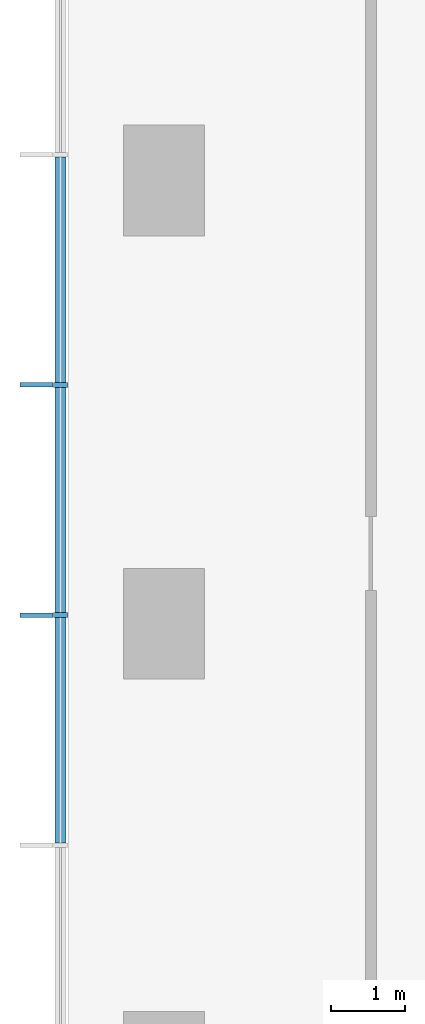
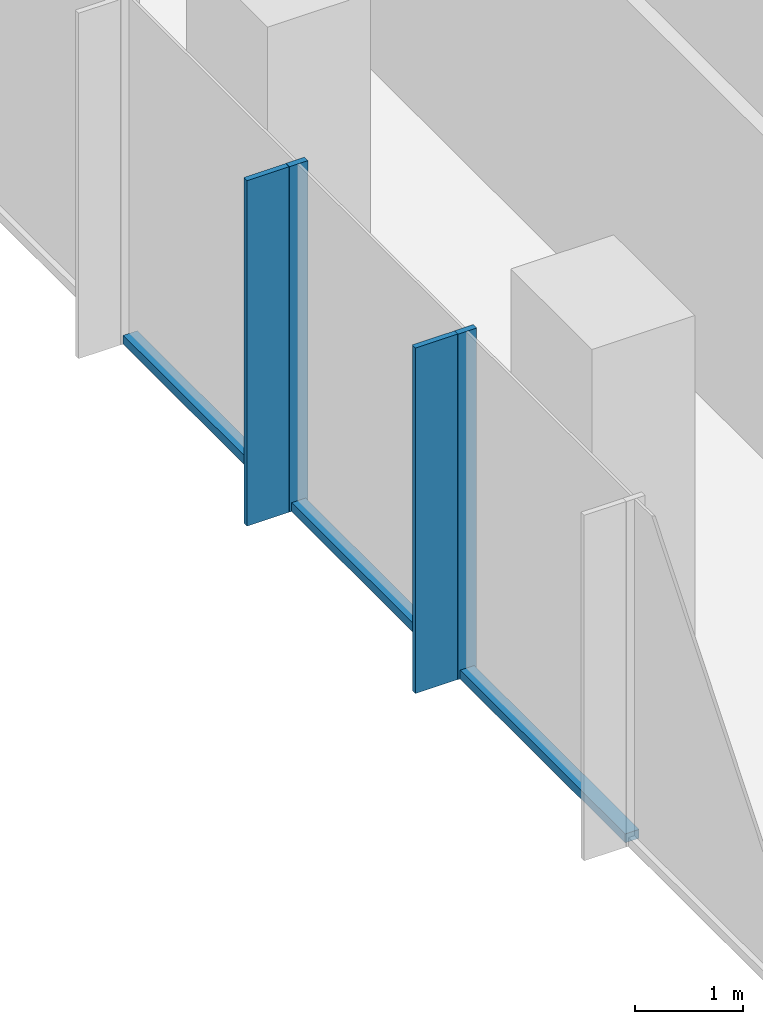
# One storey, part 3 of 11: 7 members, 1 element without a shape of its own.
"""IFC4 building model written with IfcOpenShell, lengths in metres."""

import ifcopenshell
import ifcopenshell.guid

model = None  # the IFC model being written
_history = None  # IfcOwnerHistory: only IFC2X3 demands one
_inside = {}  # id of a spatial element -> (the spatial element, [elements in it])
_under = {}  # id of a project, library or spatial element -> (it, [spatial elements below it])
_declared = {}  # id of a project -> (the project, [libraries it declares])
_typed = {}  # id of a type object -> (the type object, [elements of that type])
_made_of = {}  # id of a material, layer set ... -> (it, [elements and type objects made of it])


def new_model(schema):
    """Start an empty IFC model of exactly this schema.

    Asked for "IFC4X3", IfcOpenShell would pick the latest addendum, in which some entities
    have other attributes; the version numbers below select the first issue.
    IFC2X3 requires an IfcOwnerHistory on every rooted entity: one is made here for all.
    """
    global model, _history
    if schema == "IFC4X3":
        model = ifcopenshell.file(schema_version=(4, 3, 0, 0))
    else:
        model = ifcopenshell.file(schema=schema)
    _inside.clear()
    _under.clear()
    _declared.clear()
    _typed.clear()
    _made_of.clear()
    _history = None
    if model.schema == "IFC2X3":
        org = make("IfcOrganization", Name="unknown")
        user = make(
            "IfcPersonAndOrganization",
            ThePerson=make("IfcPerson", FamilyName="unknown"),
            TheOrganization=org,
        )
        app = make(
            "IfcApplication",
            ApplicationDeveloper=org,
            Version="unknown",
            ApplicationFullName="unknown",
            ApplicationIdentifier="unknown",
        )
        _history = make(
            "IfcOwnerHistory",
            OwningUser=user,
            OwningApplication=app,
            ChangeAction="ADDED",
            CreationDate=0,
        )
    return model


def make(cls, **values):
    """One entity of the class cls with the attributes given. An attribute that is None is left unset."""
    return model.create_entity(
        cls, **{name: value for name, value in values.items() if value is not None}
    )


def rooted(cls, **values):
    """An entity with a GlobalId (a new one), such as an element, a storey or a relation."""
    return make(cls, GlobalId=ifcopenshell.guid.new(), OwnerHistory=_history, **values)


def si_unit(unit_type, name, prefix=None):
    """IfcSIUnit, for example si_unit("LENGTHUNIT", "METRE", prefix="MILLI")."""
    return make("IfcSIUnit", UnitType=unit_type, Prefix=prefix, Name=name)


def assignment(units):
    """IfcUnitAssignment: the units of a project."""
    return None if units is None else make("IfcUnitAssignment", Units=units)


def point(xyz):
    """IfcCartesianPoint."""
    return None if xyz is None else make("IfcCartesianPoint", Coordinates=xyz)


def direction(xyz):
    """IfcDirection."""
    return None if xyz is None else make("IfcDirection", DirectionRatios=xyz)


def frame(location, z_axis=None, x_axis=None):
    """IfcAxis2Placement3D, a coordinate frame: its origin and axes. An axis left out is left unset."""
    return make(
        "IfcAxis2Placement3D",
        Location=point(location),
        Axis=direction(z_axis),
        RefDirection=direction(x_axis),
    )


def frame_2d(location, x_axis=None):
    """IfcAxis2Placement2D, a coordinate frame in the plane: its origin and x axis."""
    return make(
        "IfcAxis2Placement2D", Location=point(location), RefDirection=direction(x_axis)
    )


def origin():
    """The frame at (0, 0, 0) with its axes left unset."""
    return frame((0.0, 0.0, 0.0))


def origin_2d():
    """The frame at (0, 0) in the plane with its x axis left unset."""
    return frame_2d((0.0, 0.0))


def place(relative_to, where):
    """IfcLocalPlacement: puts the frame where relative to a parent placement (None: the world)."""
    return make(
        "IfcLocalPlacement", PlacementRelTo=relative_to, RelativePlacement=where
    )


def context(
    kind, dimensions, precision=None, world=None, true_north=None, identifier=None
):
    """IfcGeometricRepresentationContext, for example the 3D "Model" context."""
    return make(
        "IfcGeometricRepresentationContext",
        ContextIdentifier=identifier,
        ContextType=kind,
        CoordinateSpaceDimension=dimensions,
        Precision=precision,
        WorldCoordinateSystem=world,
        TrueNorth=true_north,
    )


def subcontext(parent, identifier, kind, view, scale=None):
    """IfcGeometricRepresentationSubContext, for example "Body" below "Model"."""
    return make(
        "IfcGeometricRepresentationSubContext",
        ContextIdentifier=identifier,
        ContextType=kind,
        ParentContext=parent,
        TargetScale=scale,
        TargetView=view,
    )


def project(units=None, contexts=None):
    """IfcProject with its units and contexts."""
    return rooted(
        "IfcProject",
        Name="project",
        RepresentationContexts=contexts,
        UnitsInContext=assignment(units),
    )


def spatial(cls, under=None, at=None, **own):
    """A site, building, storey or space (cls), placed at a placement, below another one or the project."""
    s = rooted(cls, ObjectPlacement=at, **own)
    if under is not None:
        _under.setdefault(under.id(), (under, []))[1].append(s)
    return s


def profile(cls, at=None, kind="AREA", **sizes):
    """A parametric profile (cls). Its sizes go by their IFC names, for example OverallWidth=200.0."""
    return make(cls, ProfileType=kind, Position=at, **sizes)


def rectangle(**sizes):
    """IfcRectangleProfileDef."""
    return profile("IfcRectangleProfileDef", **sizes)


def extrude(swept, where, along, depth):
    """IfcExtrudedAreaSolid: the profile swept, set in the frame where, extruded along a direction by depth."""
    return make(
        "IfcExtrudedAreaSolid",
        SweptArea=swept,
        Position=where,
        ExtrudedDirection=direction(along),
        Depth=depth,
    )


def shape(context_of_items, identifier, shape_type, items):
    """IfcShapeRepresentation: the items that make up one representation, for example the "Body"."""
    return make(
        "IfcShapeRepresentation",
        ContextOfItems=context_of_items,
        RepresentationIdentifier=identifier,
        RepresentationType=shape_type,
        Items=items,
    )


def material(Name=None, Category=None):
    """IfcMaterial."""
    return make("IfcMaterial", Name=Name, Category=Category)


def layer(
    of_material, thickness, ventilated=None, Name=None, Category=None, Priority=None
):
    """IfcMaterialLayer: one layer of a wall or slab, of a material (None: an air gap)."""
    return make(
        "IfcMaterialLayer",
        Material=of_material,
        LayerThickness=thickness,
        IsVentilated=ventilated,
        Name=Name,
        Category=Category,
        Priority=Priority,
    )


def layer_set(layers, Name=None):
    """IfcMaterialLayerSet."""
    return make("IfcMaterialLayerSet", MaterialLayers=layers, LayerSetName=Name)


def material_profile(
    of_material, cross_section, Name=None, Category=None, Priority=None
):
    """IfcMaterialProfile: a cross section and its material."""
    return make(
        "IfcMaterialProfile",
        Name=Name,
        Material=of_material,
        Profile=cross_section,
        Priority=Priority,
        Category=Category,
    )


def profile_set(profiles, Name=None, composite=None):
    """IfcMaterialProfileSet."""
    return make(
        "IfcMaterialProfileSet",
        Name=Name,
        MaterialProfiles=profiles,
        CompositeProfile=composite,
    )


def made_of(thing, what):
    """Note that an element or type object is made of a material, layer set ...; save() writes the relation."""
    if what is not None:
        _made_of.setdefault(what.id(), (what, []))[1].append(thing)
    return thing


def type_object(cls, material=None, **own):
    """A type object (cls), such as IfcWallType, which elements share."""
    return made_of(rooted(cls, **own), material)


def element(
    cls,
    number,
    at=None,
    inside=None,
    cuts=None,
    type_object=None,
    material=None,
    context=None,
    identifier="Body",
    shape_type=None,
    held_by="IfcProductDefinitionShape",
    body=None,
    shapes=None,
    **own,
):
    """One element of the class cls, such as IfcWall. Its Tag is "e" and its number.

    at: its placement. inside: the storey or other place that contains it. cuts: it is an
    opening in that element (IfcRelVoidsElement). A single representation is given by context,
    identifier, shape_type and body (its items); several are given by shapes. held_by: the class
    of the entity that holds the representations. save() writes the other relations.
    """
    e = rooted(cls, Tag="e%d" % number, ObjectPlacement=at, **own)
    if body is not None:
        shapes = [shape(context, identifier, shape_type, body)]
    if shapes is not None:
        e.Representation = make(held_by, Representations=shapes)
    if inside is not None:
        _inside.setdefault(inside.id(), (inside, []))[1].append(e)
    if cuts is not None:
        rooted(
            "IfcRelVoidsElement", RelatingBuildingElement=cuts, RelatedOpeningElement=e
        )
    if type_object is not None:
        _typed.setdefault(type_object.id(), (type_object, []))[1].append(e)
    return made_of(e, material)


def aggregate(whole, parts):
    """IfcRelAggregates: a whole, such as a stair, and the parts it consists of."""
    return rooted("IfcRelAggregates", RelatingObject=whole, RelatedObjects=parts)


def save(model, path):
    """Write the relations noted so far, then the file.

    IfcRelAggregates (storeys below a building ...), IfcRelContainedInSpatialStructure (elements
    in a storey), IfcRelDefinesByType, IfcRelAssociatesMaterial and IfcRelDeclares: one each for
    every whole, place, type object, material and project.
    """
    for whole, parts in _under.values():
        aggregate(whole, parts)
    for where, things in _inside.values():
        rooted(
            "IfcRelContainedInSpatialStructure",
            RelatedElements=things,
            RelatingStructure=where,
        )
    for kind, things in _typed.values():
        rooted("IfcRelDefinesByType", RelatedObjects=things, RelatingType=kind)
    for what, things in _made_of.values():
        rooted("IfcRelAssociatesMaterial", RelatedObjects=things, RelatingMaterial=what)
    for by, libraries in _declared.values():
        rooted("IfcRelDeclares", RelatingContext=by, RelatedDefinitions=libraries)
    model.write(path)


model = new_model("IFC4")

# Units and contexts
model_context = context("Model", 3, precision=1e-05, world=origin(), true_north=direction((0.0, 1.0)))
body_context = subcontext(model_context, "Body", "Model", "MODEL_VIEW")
ifc_project = project(units=[si_unit("LENGTHUNIT", "METRE"), si_unit("AREAUNIT", "SQUARE_METRE"), si_unit("VOLUMEUNIT", "CUBIC_METRE"), si_unit("PLANEANGLEUNIT", "RADIAN"), si_unit("MASSUNIT", "GRAM", prefix="KILO")], contexts=[model_context])

# Site, building, storey
site_placement = place(None, origin())
site = spatial("IfcSite", under=ifc_project, at=site_placement, CompositionType="ELEMENT")
building_placement = place(site_placement, origin())
building = spatial("IfcBuilding", under=site, at=building_placement, Name="Highveld Stack Headquarters", CompositionType="ELEMENT")
storey_placement = place(building_placement, frame((0.0, 0.0, 177.199951171875)))
storey = spatial("IfcBuildingStorey", under=building, at=storey_placement, Name="L43", CompositionType="ELEMENT", Elevation=177.199951171875)

# Curtain wall, members
ifc_material_1 = material(Name="Aluminium bronze anodised", Category="aluminium")
ifc_layer = layer(ifc_material_1, 0.199951171875)
ifc_layer_set = layer_set([ifc_layer], Name="Aluminium bronze anodised")
curtain_wall_type = type_object("IfcCurtainWallType", Name="CW1 TOWER UNITISED CURTAIN WALL", PredefinedType="NOTDEFINED", material=ifc_layer_set)
curtain_wall_placement = place(storey_placement, origin())
curtain_wall = element("IfcCurtainWall", 1, at=curtain_wall_placement, inside=storey, type_object=curtain_wall_type, Name="Curtain wall CW1 L43 W", PredefinedType="NOTDEFINED")
ifc_material_2 = material(Name="Aluminium bronze anodised", Category="aluminium")
ifc_material_profile_1 = material_profile(ifc_material_2, rectangle(XDim=0.449951171875, YDim=0.06005859375, at=origin_2d()), Name="FIN 450x60")
ifc_profile_set_1 = profile_set([ifc_material_profile_1], Name="Aluminium bronze anodised")
member_type_1 = type_object("IfcMemberType", Name="CW1 BRONZE FIN 450x60", PredefinedType="USERDEFINED", material=ifc_profile_set_1)
member_1_placement = place(storey_placement, frame((-13.72509765625, 15.23193359375, 0.0), z_axis=(0.0, 0.0, 1.0), x_axis=(1.0, 0.0, 0.0)))
member_1 = element("IfcMember", 2, at=member_1_placement, type_object=member_type_1, Name="CW1 fin L43 4", ObjectType="FIN", PredefinedType="USERDEFINED", context=body_context, shape_type="SweptSolid", body=[
    extrude(rectangle(XDim=0.449951171875, YDim=0.06005859375, at=origin_2d()), origin(), (0.0, 0.0, 1.0), 3.900146484375),
])
member_2_placement = place(storey_placement, frame((-13.72509765625, 12.115966796875, 0.0), z_axis=(0.0, 0.0, 1.0), x_axis=(1.0, 0.0, 0.0)))
member_2 = element("IfcMember", 3, at=member_2_placement, type_object=member_type_1, Name="CW1 fin L43 5", ObjectType="FIN", PredefinedType="USERDEFINED", context=body_context, shape_type="SweptSolid", body=[
    extrude(rectangle(XDim=0.449951171875, YDim=0.06005859375, at=origin_2d()), origin(), (0.0, 0.0, 1.0), 3.900146484375),
])
ifc_material_3 = material(Name="Aluminium bronze anodised", Category="aluminium")
ifc_material_profile_2 = material_profile(ifc_material_3, rectangle(XDim=0.199951171875, YDim=0.06494140625, at=origin_2d()), Name="CW1 MULLION 65x200")
ifc_profile_set_2 = profile_set([ifc_material_profile_2], Name="Aluminium bronze anodised")
member_type_2 = type_object("IfcMemberType", Name="CW1 MULLION 65x200", PredefinedType="MULLION", material=ifc_profile_set_2)
member_3_placement = place(storey_placement, frame((-13.39990234375, 15.23193359375, 0.0), z_axis=(0.0, 0.0, 1.0), x_axis=(1.0, 0.0, 0.0)))
member_3 = element("IfcMember", 4, at=member_3_placement, type_object=member_type_2, Name="CW1 mullion L43 4", PredefinedType="MULLION", context=body_context, shape_type="SweptSolid", body=[
    extrude(rectangle(XDim=0.199951171875, YDim=0.06494140625, at=origin_2d()), origin(), (0.0, 0.0, 1.0), 3.900146484375),
])
member_4_placement = place(storey_placement, frame((-13.39990234375, 12.115966796875, 0.0), z_axis=(0.0, 0.0, 1.0), x_axis=(1.0, 0.0, 0.0)))
member_4 = element("IfcMember", 5, at=member_4_placement, type_object=member_type_2, Name="CW1 mullion L43 5", PredefinedType="MULLION", context=body_context, shape_type="SweptSolid", body=[
    extrude(rectangle(XDim=0.199951171875, YDim=0.06494140625, at=origin_2d()), origin(), (0.0, 0.0, 1.0), 3.900146484375),
])
ifc_material_4 = material(Name="Aluminium bronze anodised", Category="aluminium")
ifc_material_profile_3 = material_profile(ifc_material_4, rectangle(XDim=0.14990234375, YDim=0.10009765625, at=origin_2d()), Name="CW1 TRANSOM 150x100")
ifc_profile_set_3 = profile_set([ifc_material_profile_3], Name="Aluminium bronze anodised")
member_type_3 = type_object("IfcMemberType", Name="CW1 STACK TRANSOM 150x100", PredefinedType="USERDEFINED", material=ifc_profile_set_3)
member_5_placement = place(storey_placement, frame((-13.39990234375, 18.3154296875, 0.050048828125), z_axis=(0.0, -1.0, 0.0), x_axis=(1.0, 0.0, 0.0)))
member_5 = element("IfcMember", 6, at=member_5_placement, type_object=member_type_3, Name="CW1 transom L43 3.1", ObjectType="TRANSOM", PredefinedType="USERDEFINED", context=body_context, shape_type="SweptSolid", body=[
    extrude(rectangle(XDim=0.14990234375, YDim=0.10009765625, at=origin_2d()), origin(), (0.0, 0.0, 1.0), 3.051025390625),
])
member_6_placement = place(storey_placement, frame((-13.39990234375, 15.199462890625, 0.050048828125), z_axis=(0.0, -1.0, 0.0), x_axis=(1.0, 0.0, 0.0)))
member_6 = element("IfcMember", 7, at=member_6_placement, type_object=member_type_3, Name="CW1 transom L43 4.1", ObjectType="TRANSOM", PredefinedType="USERDEFINED", context=body_context, shape_type="SweptSolid", body=[
    extrude(rectangle(XDim=0.14990234375, YDim=0.10009765625, at=origin_2d()), origin(), (0.0, 0.0, 1.0), 3.051025390625),
])
member_7_placement = place(storey_placement, frame((-13.39990234375, 12.08349609375, 0.050048828125), z_axis=(0.0, -1.0, 0.0), x_axis=(1.0, 0.0, 0.0)))
member_7 = element("IfcMember", 8, at=member_7_placement, type_object=member_type_3, Name="CW1 transom L43 5.1", ObjectType="TRANSOM", PredefinedType="USERDEFINED", context=body_context, shape_type="SweptSolid", body=[
    extrude(rectangle(XDim=0.14990234375, YDim=0.10009765625, at=origin_2d()), origin(), (0.0, 0.0, 1.0), 3.051025390625),
])
aggregate(curtain_wall, [member_3, member_1, member_4, member_2, member_5, member_6, member_7])

save(model, "model.ifc")
